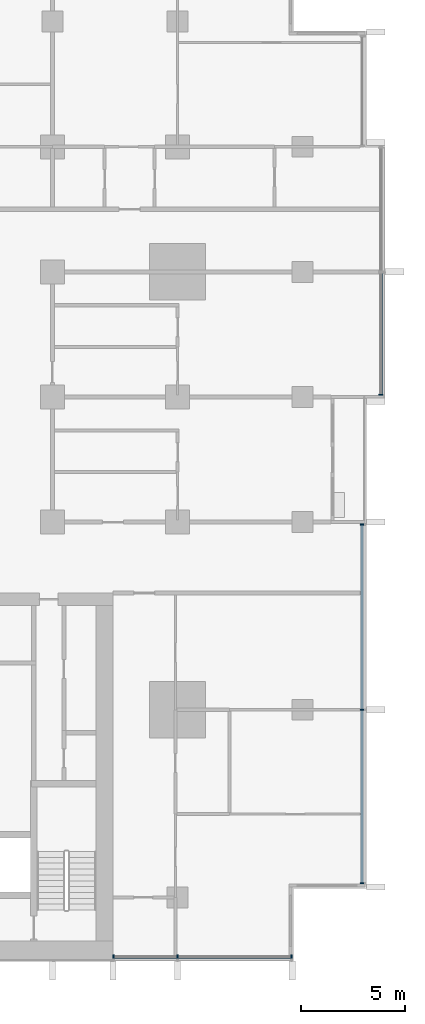
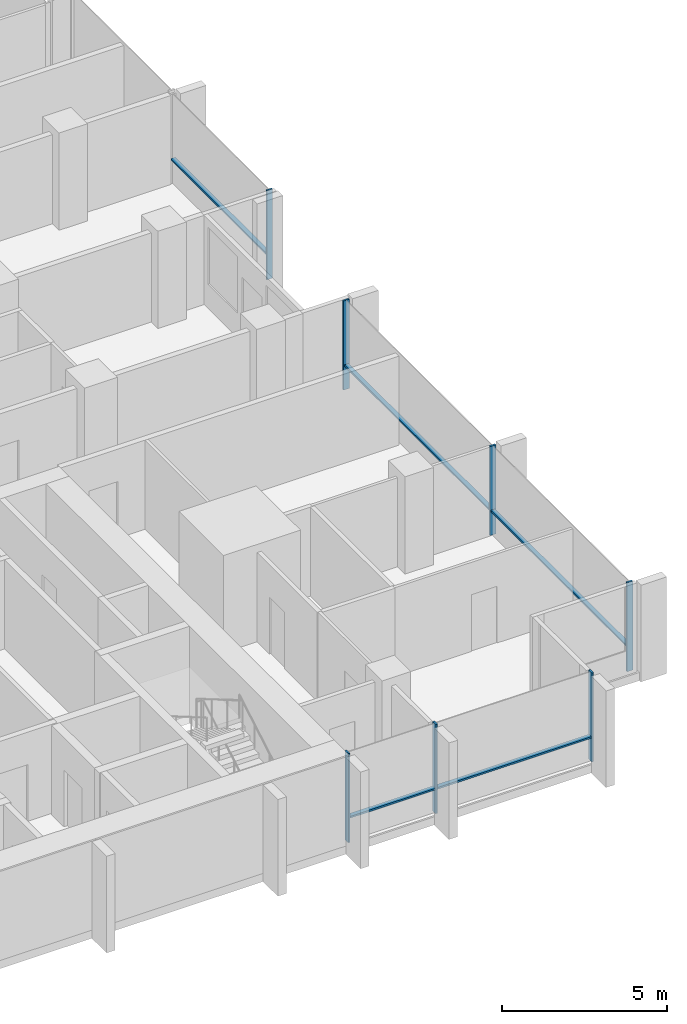
# One storey, part 3 of 17: 12 members, 3 elements without a shape of their own.
"""IFC4 building model written with IfcOpenShell, lengths in metres."""

from ifc_helpers import new_model, si_unit, direction, frame, origin, origin_2d, place, context, subcontext, project, spatial, rectangle, extrude, material, material_profile, profile_set, type_object, element, aggregate, save


model = new_model("IFC4")

# Units and contexts
model_context = context("Model", 3, precision=1e-05, world=origin(), true_north=direction((0.0, 1.0)))
body_context = subcontext(model_context, "Body", "Model", "MODEL_VIEW")
ifc_project = project(units=[si_unit("LENGTHUNIT", "METRE"), si_unit("AREAUNIT", "SQUARE_METRE"), si_unit("VOLUMEUNIT", "CUBIC_METRE"), si_unit("PLANEANGLEUNIT", "RADIAN"), si_unit("MASSUNIT", "GRAM", prefix="KILO")], contexts=[model_context])

# Site, building, storey
site_placement = place(None, origin())
site = spatial("IfcSite", under=ifc_project, at=site_placement, CompositionType="ELEMENT")
building_placement = place(site_placement, origin())
building = spatial("IfcBuilding", under=site, at=building_placement, Name="Finial Court Residences", CompositionType="ELEMENT")
storey_placement = place(building_placement, frame((0.0, 0.0, 120.699951171875)))
storey = spatial("IfcBuildingStorey", under=building, at=storey_placement, Name="L30", CompositionType="ELEMENT", Elevation=120.699951171875)

# Curtain wall, members
ifc_material = material(Name="Bronze anodised aluminium", Category="aluminium")
curtain_wall_type = type_object("IfcCurtainWallType", Name="Unitised curtain wall, lower and middle zones", PredefinedType="NOTDEFINED", material=ifc_material)
curtain_wall_1_placement = place(storey_placement, origin())
curtain_wall_1 = element("IfcCurtainWall", 1, at=curtain_wall_1_placement, inside=storey, type_object=curtain_wall_type, Name="E-L30-CW-E6", PredefinedType="NOTDEFINED")
ifc_material_profile_1 = material_profile(ifc_material, rectangle(XDim=0.199951171875, YDim=0.06494140625, at=origin_2d()), Name="CW1 mullion 65 x 200")
ifc_profile_set_1 = profile_set([ifc_material_profile_1], Name="Bronze anodised aluminium")
member_type_1 = type_object("IfcMemberType", Name="CW1 mullion 65 x 200", PredefinedType="MULLION", material=ifc_profile_set_1)
member_1_placement = place(storey_placement, frame((25.35009765625, -21.8173828125, 0.0), z_axis=(0.0, 0.0, 1.0), x_axis=(-1.0, 0.0, 0.0)))
member_1 = element("IfcMember", 2, at=member_1_placement, type_object=member_type_1, Name="CW1 mullion 1", PredefinedType="MULLION", context=body_context, shape_type="SweptSolid", body=[
    extrude(rectangle(XDim=0.199951171875, YDim=0.06494140625, at=origin_2d()), origin(), (0.0, 0.0, 1.0), 3.300048828125),
])
member_2_placement = place(storey_placement, frame((25.35009765625, -13.5, 0.0), z_axis=(0.0, 0.0, 1.0), x_axis=(-1.0, 0.0, 0.0)))
member_2 = element("IfcMember", 3, at=member_2_placement, type_object=member_type_1, Name="CW1 mullion 2", PredefinedType="MULLION", context=body_context, shape_type="SweptSolid", body=[
    extrude(rectangle(XDim=0.199951171875, YDim=0.06494140625, at=origin_2d()), origin(), (0.0, 0.0, 1.0), 3.300048828125),
])
member_3_placement = place(storey_placement, frame((25.35009765625, -4.607421875, 0.0), z_axis=(0.0, 0.0, 1.0), x_axis=(-1.0, 0.0, 0.0)))
member_3 = element("IfcMember", 4, at=member_3_placement, type_object=member_type_1, Name="CW1 mullion 3", PredefinedType="MULLION", context=body_context, shape_type="SweptSolid", body=[
    extrude(rectangle(XDim=0.199951171875, YDim=0.06494140625, at=origin_2d()), origin(), (0.0, 0.0, 1.0), 3.300048828125),
])

# Curtain wall, member
curtain_wall_2_placement = place(storey_placement, origin())
curtain_wall_2 = element("IfcCurtainWall", 5, at=curtain_wall_2_placement, inside=storey, type_object=curtain_wall_type, Name="E-L30-CW-E7", PredefinedType="NOTDEFINED")
member_4_placement = place(storey_placement, frame((26.25, 1.607421875, 0.0), z_axis=(0.0, 0.0, 1.0), x_axis=(-1.0, 0.0, 0.0)))
member_4 = element("IfcMember", 6, at=member_4_placement, type_object=member_type_1, Name="CW1 mullion 1", PredefinedType="MULLION", context=body_context, shape_type="SweptSolid", body=[
    extrude(rectangle(XDim=0.199951171875, YDim=0.06494140625, at=origin_2d()), origin(), (0.0, 0.0, 1.0), 3.300048828125),
])

# Curtain wall, members
curtain_wall_3_placement = place(storey_placement, origin())
curtain_wall_3 = element("IfcCurtainWall", 7, at=curtain_wall_3_placement, inside=storey, type_object=curtain_wall_type, Name="E-L30-CW-S11", PredefinedType="NOTDEFINED")
member_5_placement = place(storey_placement, frame((13.4326171875, -25.35009765625, 0.0), z_axis=(0.0, 0.0, 1.0), x_axis=(0.0, 1.0, 0.0)))
member_5 = element("IfcMember", 8, at=member_5_placement, type_object=member_type_1, Name="CW1 mullion 1", PredefinedType="MULLION", context=body_context, shape_type="SweptSolid", body=[
    extrude(rectangle(XDim=0.199951171875, YDim=0.06494140625, at=origin_2d()), origin(), (0.0, 0.0, 1.0), 3.300048828125),
])
member_6_placement = place(storey_placement, frame((16.5, -25.35009765625, 0.0), z_axis=(0.0, 0.0, 1.0), x_axis=(0.0, 1.0, 0.0)))
member_6 = element("IfcMember", 9, at=member_6_placement, type_object=member_type_1, Name="CW1 mullion 2", PredefinedType="MULLION", context=body_context, shape_type="SweptSolid", body=[
    extrude(rectangle(XDim=0.199951171875, YDim=0.06494140625, at=origin_2d()), origin(), (0.0, 0.0, 1.0), 3.300048828125),
])
member_7_placement = place(storey_placement, frame((21.967529296875, -25.35009765625, 0.0), z_axis=(0.0, 0.0, 1.0), x_axis=(0.0, 1.0, 0.0)))
member_7 = element("IfcMember", 10, at=member_7_placement, type_object=member_type_1, Name="CW1 mullion 3", PredefinedType="MULLION", context=body_context, shape_type="SweptSolid", body=[
    extrude(rectangle(XDim=0.199951171875, YDim=0.06494140625, at=origin_2d()), origin(), (0.0, 0.0, 1.0), 3.300048828125),
])

# Member
ifc_material_profile_2 = material_profile(ifc_material, rectangle(XDim=0.14990234375, YDim=0.06494140625, at=origin_2d()), Name="CW1 transom 65 x 150")
ifc_profile_set_2 = profile_set([ifc_material_profile_2], Name="Bronze anodised aluminium")
member_type_2 = type_object("IfcMemberType", Name="CW1 transom 65 x 150", PredefinedType="USERDEFINED", material=ifc_profile_set_2)
member_8_placement = place(storey_placement, frame((25.35009765625, -21.784912109375, 0.900146484375), z_axis=(0.0, 1.0, 0.0), x_axis=(-1.0, 0.0, 0.0)))
member_8 = element("IfcMember", 11, at=member_8_placement, type_object=member_type_2, Name="CW1 transom 1.1", ObjectType="TRANSOM", PredefinedType="USERDEFINED", context=body_context, shape_type="SweptSolid", body=[
    extrude(rectangle(XDim=0.14990234375, YDim=0.06494140625, at=origin_2d()), origin(), (0.0, 0.0, 1.0), 8.25244140625),
])

member_9_placement = place(storey_placement, frame((25.35009765625, -13.467529296875, 0.900146484375), z_axis=(0.0, 1.0, 0.0), x_axis=(-1.0, 0.0, 0.0)))
member_9 = element("IfcMember", 12, at=member_9_placement, type_object=member_type_2, Name="CW1 transom 2.1", ObjectType="TRANSOM", PredefinedType="USERDEFINED", context=body_context, shape_type="SweptSolid", body=[
    extrude(rectangle(XDim=0.14990234375, YDim=0.06494140625, at=origin_2d()), origin(), (0.0, 0.0, 1.0), 8.82763671875),
])

aggregate(curtain_wall_1, [member_1, member_2, member_3, member_8, member_9])

member_10_placement = place(storey_placement, frame((26.25, 1.639892578125, 0.900146484375), z_axis=(0.0, 1.0, 0.0), x_axis=(-1.0, 0.0, 0.0)))
member_10 = element("IfcMember", 13, at=member_10_placement, type_object=member_type_2, Name="CW1 transom 1.1", ObjectType="TRANSOM", PredefinedType="USERDEFINED", context=body_context, shape_type="SweptSolid", body=[
    extrude(rectangle(XDim=0.14990234375, YDim=0.06494140625, at=origin_2d()), origin(), (0.0, 0.0, 1.0), 5.795166015625),
])

aggregate(curtain_wall_2, [member_4, member_10])

member_11_placement = place(storey_placement, frame((13.465087890625, -25.35009765625, 0.900146484375), z_axis=(1.0, 0.0, 0.0), x_axis=(0.0, 1.0, 0.0)))
member_11 = element("IfcMember", 14, at=member_11_placement, type_object=member_type_2, Name="CW1 transom 1.1", ObjectType="TRANSOM", PredefinedType="USERDEFINED", context=body_context, shape_type="SweptSolid", body=[
    extrude(rectangle(XDim=0.14990234375, YDim=0.06494140625, at=origin_2d()), origin(), (0.0, 0.0, 1.0), 3.00244140625),
])

member_12_placement = place(storey_placement, frame((16.532470703125, -25.35009765625, 0.900146484375), z_axis=(1.0, 0.0, 0.0), x_axis=(0.0, 1.0, 0.0)))
member_12 = element("IfcMember", 15, at=member_12_placement, type_object=member_type_2, Name="CW1 transom 2.1", ObjectType="TRANSOM", PredefinedType="USERDEFINED", context=body_context, shape_type="SweptSolid", body=[
    extrude(rectangle(XDim=0.14990234375, YDim=0.06494140625, at=origin_2d()), origin(), (0.0, 0.0, 1.0), 5.402587890625),
])

aggregate(curtain_wall_3, [member_5, member_6, member_7, member_11, member_12])

save(model, "model.ifc")
